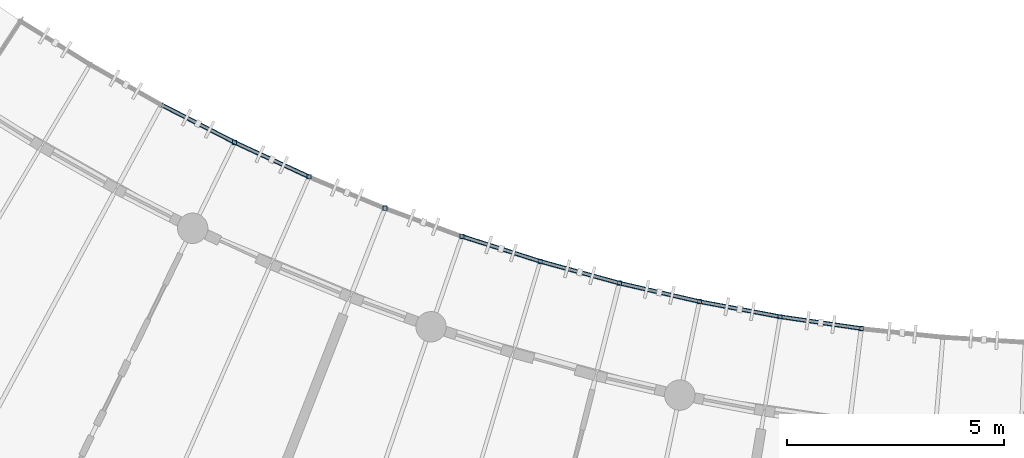
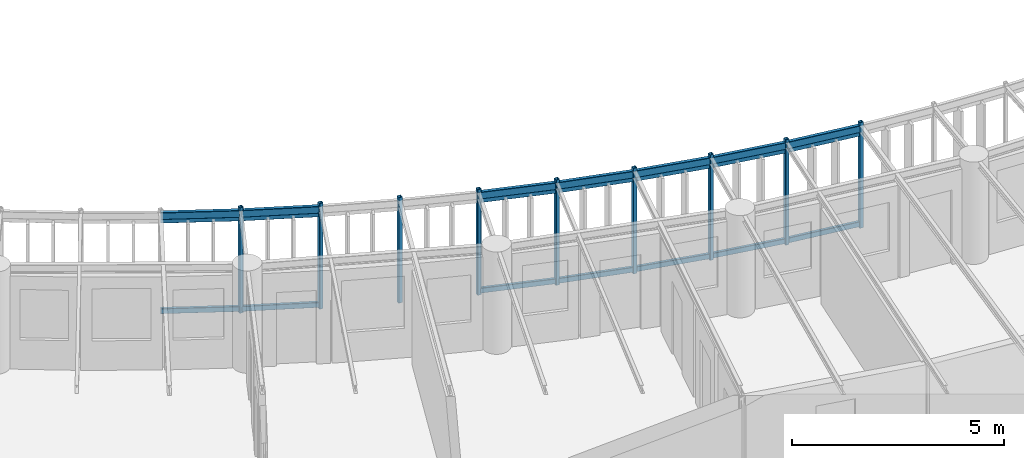
# One storey, part 8 of 123: 23 members, 7 beams.
"""IFC4 building model written with IfcOpenShell, lengths in metres."""

from ifc_helpers import new_model, si_unit, direction, frame, origin, origin_2d, place, context, subcontext, project, spatial, hollow_rectangle, extrude, material, material_profile, profile_set, type_object, element, save


model = new_model("IFC4")

# Units and contexts
model_context = context("Model", 3, precision=1e-05, world=origin(), true_north=direction((0.0, 1.0)))
body_context = subcontext(model_context, "Body", "Model", "MODEL_VIEW")
ifc_project = project(units=[si_unit("LENGTHUNIT", "METRE"), si_unit("AREAUNIT", "SQUARE_METRE"), si_unit("VOLUMEUNIT", "CUBIC_METRE"), si_unit("PLANEANGLEUNIT", "RADIAN"), si_unit("MASSUNIT", "GRAM", prefix="KILO"), si_unit("POWERUNIT", "WATT"), si_unit("THERMODYNAMICTEMPERATUREUNIT", "KELVIN")], contexts=[model_context])

# Site, building, storey
site_placement = place(None, origin())
site = spatial("IfcSite", under=ifc_project, at=site_placement, CompositionType="ELEMENT")
building_placement = place(site_placement, origin())
building = spatial("IfcBuilding", under=site, at=building_placement, Name="Ruvembo Vaulted Housing Court", CompositionType="ELEMENT")
storey_placement = place(building_placement, frame((0.0, 0.0, 7.699951171875)))
storey = spatial("IfcBuildingStorey", under=building, at=storey_placement, Name="L02", CompositionType="ELEMENT", Elevation=7.699951171875)

# Beams
ifc_material = material(Name="Steel S355J2", Category="steel")
ifc_material_profile_1 = material_profile(ifc_material, hollow_rectangle(XDim=0.10009765625, YDim=0.199951171875, WallThickness=0.008056640625, InnerFilletRadius=0.008056640625, OuterFilletRadius=0.01611328125, at=origin_2d()), Name="RHS 200x100x8")
ifc_profile_set_1 = profile_set([ifc_material_profile_1], Name="Steel S355J2")
beam_type = type_object("IfcBeamType", Name="BM-ST-RHS200", PredefinedType="SPANDREL", material=ifc_profile_set_1)
for number, where, z_axis, x_axis, name in (
    (1, (47.241943359375, 21.6982421875, 2.840087890625), (0.889568437347, -0.45680192127, 0.0), (0.45680192127, 0.889568437347, 0.0), "Scoop SC2 L02 Balcony Edge Spandrel 2"),
    (2, (48.922607421875, 20.835205078125, 2.840087890625), (0.907656578832, -0.419713634403, 0.0), (0.419713634403, 0.907656578832, 0.0), "Scoop SC2 L02 Balcony Edge Spandrel 3"),
):
    element("IfcBeam", number, at=place(storey_placement, frame(where, z_axis=z_axis, x_axis=x_axis)), inside=storey, type_object=beam_type, Name=name, PredefinedType="SPANDREL", context=body_context, shape_type="SweptSolid", body=[
        extrude(hollow_rectangle(XDim=0.10009765625, YDim=0.199951171875, WallThickness=0.008056640625, InnerFilletRadius=0.008056640625, OuterFilletRadius=0.01611328125, at=origin_2d()), origin(), (0.0, 0.0, 1.0), 1.889404296875),
    ])
beam_1_placement = place(storey_placement, frame((54.15771484375, 18.671630859375, 2.840087890625), z_axis=(0.952526124364, -0.304456864605, 0.0), x_axis=(0.304456864605, 0.952526124364, 0.0)))
element("IfcBeam", 3, at=beam_1_placement, inside=storey, type_object=beam_type, Name="Scoop SC2 L02 Balcony Edge Spandrel 6", PredefinedType="SPANDREL", context=body_context, shape_type="SweptSolid", body=[
    extrude(hollow_rectangle(XDim=0.10009765625, YDim=0.199951171875, WallThickness=0.008056640625, InnerFilletRadius=0.008056640625, OuterFilletRadius=0.01611328125, at=origin_2d()), origin(), (0.0, 0.0, 1.0), 1.88916015625),
])
beam_2_placement = place(storey_placement, frame((55.957275390625, 18.096435546875, 2.840087890625), z_axis=(0.964240073493, -0.26503033915, 0.0), x_axis=(0.26503033915, 0.964240073493, 0.0)))
element("IfcBeam", 4, at=beam_2_placement, inside=storey, type_object=beam_type, Name="Scoop SC2 L02 Balcony Edge Spandrel 7", PredefinedType="SPANDREL", context=body_context, shape_type="SweptSolid", body=[
    extrude(hollow_rectangle(XDim=0.10009765625, YDim=0.199951171875, WallThickness=0.008056640625, InnerFilletRadius=0.008056640625, OuterFilletRadius=0.01611328125, at=origin_2d()), origin(), (0.0, 0.0, 1.0), 1.889404296875),
])
beam_3_placement = place(storey_placement, frame((57.779052734375, 17.595703125, 2.840087890625), z_axis=(0.974391195695, -0.224859506699, 0.0), x_axis=(0.224859506699, 0.974391195695, 0.0)))
element("IfcBeam", 5, at=beam_3_placement, inside=storey, type_object=beam_type, Name="Scoop SC2 L02 Balcony Edge Spandrel 8", PredefinedType="SPANDREL", context=body_context, shape_type="SweptSolid", body=[
    extrude(hollow_rectangle(XDim=0.10009765625, YDim=0.199951171875, WallThickness=0.008056640625, InnerFilletRadius=0.008056640625, OuterFilletRadius=0.01611328125, at=origin_2d()), origin(), (0.0, 0.0, 1.0), 1.88916015625),
])
beam_4_placement = place(storey_placement, frame((59.619873046875, 17.1708984375, 2.840087890625), z_axis=(0.982804832401, -0.184647397515, 0.0), x_axis=(0.184647397515, 0.982804832401, 0.0)))
element("IfcBeam", 6, at=beam_4_placement, inside=storey, type_object=beam_type, Name="Scoop SC2 L02 Balcony Edge Spandrel 9", PredefinedType="SPANDREL", context=body_context, shape_type="SweptSolid", body=[
    extrude(hollow_rectangle(XDim=0.10009765625, YDim=0.199951171875, WallThickness=0.008056640625, InnerFilletRadius=0.008056640625, OuterFilletRadius=0.01611328125, at=origin_2d()), origin(), (0.0, 0.0, 1.0), 1.889404296875),
])
beam_5_placement = place(storey_placement, frame((61.476806640625, 16.822021484375, 2.840087890625), z_axis=(0.989600158039, -0.143845497701, 0.0), x_axis=(0.143845497701, 0.989600158039, 0.0)))
element("IfcBeam", 7, at=beam_5_placement, inside=storey, type_object=beam_type, Name="Scoop SC2 L02 Balcony Edge Spandrel 10", PredefinedType="SPANDREL", context=body_context, shape_type="SweptSolid", body=[
    extrude(hollow_rectangle(XDim=0.10009765625, YDim=0.199951171875, WallThickness=0.008056640625, InnerFilletRadius=0.008056640625, OuterFilletRadius=0.01611328125, at=origin_2d()), origin(), (0.0, 0.0, 1.0), 1.888916015625),
])

# Members
ifc_material_profile_2 = material_profile(ifc_material, hollow_rectangle(XDim=0.06005859375, YDim=0.1201171875, WallThickness=0.0048828125, InnerFilletRadius=0.0048828125, OuterFilletRadius=0.010009765625, at=origin_2d()), Name="RHS 120x60x5")
ifc_profile_set_2 = profile_set([ifc_material_profile_2], Name="Steel S355J2")
member_type_1 = type_object("IfcMemberType", Name="MEM-CAR-RHS120", PredefinedType="CHORD", material=ifc_profile_set_2)
for number, where, z_axis, x_axis, name in (
    (8, (47.241943359375, 21.6982421875, 2.68310546875), (0.889568437347, -0.45680192127, 0.0), (0.45680192127, 0.889568437347, 0.0), "Scoop SC2 L02 Upper Louvre Carrier Rail 2"),
    (9, (48.922607421875, 20.835205078125, 2.68310546875), (0.907656578832, -0.419713634403, 0.0), (0.419713634403, 0.907656578832, 0.0), "Scoop SC2 L02 Upper Louvre Carrier Rail 3"),
):
    element("IfcMember", number, at=place(storey_placement, frame(where, z_axis=z_axis, x_axis=x_axis)), inside=storey, type_object=member_type_1, Name=name, PredefinedType="CHORD", context=body_context, shape_type="SweptSolid", body=[
        extrude(hollow_rectangle(XDim=0.06005859375, YDim=0.1201171875, WallThickness=0.0048828125, InnerFilletRadius=0.0048828125, OuterFilletRadius=0.010009765625, at=origin_2d()), origin(), (0.0, 0.0, 1.0), 1.889404296875),
    ])
member_1_placement = place(storey_placement, frame((54.15771484375, 18.671630859375, 2.68310546875), z_axis=(0.952526124364, -0.304456864605, 0.0), x_axis=(0.304456864605, 0.952526124364, 0.0)))
element("IfcMember", 10, at=member_1_placement, inside=storey, type_object=member_type_1, Name="Scoop SC2 L02 Upper Louvre Carrier Rail 6", PredefinedType="CHORD", context=body_context, shape_type="SweptSolid", body=[
    extrude(hollow_rectangle(XDim=0.06005859375, YDim=0.1201171875, WallThickness=0.0048828125, InnerFilletRadius=0.0048828125, OuterFilletRadius=0.010009765625, at=origin_2d()), origin(), (0.0, 0.0, 1.0), 1.88916015625),
])
member_2_placement = place(storey_placement, frame((55.957275390625, 18.096435546875, 2.68310546875), z_axis=(0.964240073493, -0.26503033915, 0.0), x_axis=(0.26503033915, 0.964240073493, 0.0)))
element("IfcMember", 11, at=member_2_placement, inside=storey, type_object=member_type_1, Name="Scoop SC2 L02 Upper Louvre Carrier Rail 7", PredefinedType="CHORD", context=body_context, shape_type="SweptSolid", body=[
    extrude(hollow_rectangle(XDim=0.06005859375, YDim=0.1201171875, WallThickness=0.0048828125, InnerFilletRadius=0.0048828125, OuterFilletRadius=0.010009765625, at=origin_2d()), origin(), (0.0, 0.0, 1.0), 1.889404296875),
])
member_3_placement = place(storey_placement, frame((57.779052734375, 17.595703125, 2.68310546875), z_axis=(0.974391195695, -0.224859506699, 0.0), x_axis=(0.224859506699, 0.974391195695, 0.0)))
element("IfcMember", 12, at=member_3_placement, inside=storey, type_object=member_type_1, Name="Scoop SC2 L02 Upper Louvre Carrier Rail 8", PredefinedType="CHORD", context=body_context, shape_type="SweptSolid", body=[
    extrude(hollow_rectangle(XDim=0.06005859375, YDim=0.1201171875, WallThickness=0.0048828125, InnerFilletRadius=0.0048828125, OuterFilletRadius=0.010009765625, at=origin_2d()), origin(), (0.0, 0.0, 1.0), 1.88916015625),
])
member_4_placement = place(storey_placement, frame((59.619873046875, 17.1708984375, 2.68310546875), z_axis=(0.982804832401, -0.184647397515, 0.0), x_axis=(0.184647397515, 0.982804832401, 0.0)))
element("IfcMember", 13, at=member_4_placement, inside=storey, type_object=member_type_1, Name="Scoop SC2 L02 Upper Louvre Carrier Rail 9", PredefinedType="CHORD", context=body_context, shape_type="SweptSolid", body=[
    extrude(hollow_rectangle(XDim=0.06005859375, YDim=0.1201171875, WallThickness=0.0048828125, InnerFilletRadius=0.0048828125, OuterFilletRadius=0.010009765625, at=origin_2d()), origin(), (0.0, 0.0, 1.0), 1.889404296875),
])
member_5_placement = place(storey_placement, frame((61.476806640625, 16.822021484375, 2.68310546875), z_axis=(0.989600158039, -0.143845497701, 0.0), x_axis=(0.143845497701, 0.989600158039, 0.0)))
element("IfcMember", 14, at=member_5_placement, inside=storey, type_object=member_type_1, Name="Scoop SC2 L02 Upper Louvre Carrier Rail 10", PredefinedType="CHORD", context=body_context, shape_type="SweptSolid", body=[
    extrude(hollow_rectangle(XDim=0.06005859375, YDim=0.1201171875, WallThickness=0.0048828125, InnerFilletRadius=0.0048828125, OuterFilletRadius=0.010009765625, at=origin_2d()), origin(), (0.0, 0.0, 1.0), 1.888916015625),
])
ifc_material_profile_3 = material_profile(ifc_material, hollow_rectangle(XDim=0.080078125, YDim=0.14990234375, WallThickness=0.00634765625, InnerFilletRadius=0.00634765625, OuterFilletRadius=0.0126953125, at=origin_2d()), Name="RHS 150x80x6.3")
ifc_profile_set_3 = profile_set([ifc_material_profile_3], Name="Steel S355J2")
member_type_2 = type_object("IfcMemberType", Name="MEM-CAR-RHS150", PredefinedType="CHORD", material=ifc_profile_set_3)
for number, where, z_axis, x_axis, name in (
    (15, (47.241943359375, 21.6982421875, 0.094970703125), (0.889568437347, -0.45680192127, 0.0), (0.45680192127, 0.889568437347, 0.0), "Scoop SC2 L02 Lower Louvre Carrier Rail 2"),
    (16, (48.922607421875, 20.835205078125, 0.094970703125), (0.907656578832, -0.419713634403, 0.0), (0.419713634403, 0.907656578832, 0.0), "Scoop SC2 L02 Lower Louvre Carrier Rail 3"),
):
    element("IfcMember", number, at=place(storey_placement, frame(where, z_axis=z_axis, x_axis=x_axis)), inside=storey, type_object=member_type_2, Name=name, PredefinedType="CHORD", context=body_context, shape_type="SweptSolid", body=[
        extrude(hollow_rectangle(XDim=0.080078125, YDim=0.14990234375, WallThickness=0.00634765625, InnerFilletRadius=0.00634765625, OuterFilletRadius=0.0126953125, at=origin_2d()), origin(), (0.0, 0.0, 1.0), 1.889404296875),
    ])
member_6_placement = place(storey_placement, frame((54.15771484375, 18.671630859375, 0.094970703125), z_axis=(0.952526124364, -0.304456864605, 0.0), x_axis=(0.304456864605, 0.952526124364, 0.0)))
element("IfcMember", 17, at=member_6_placement, inside=storey, type_object=member_type_2, Name="Scoop SC2 L02 Lower Louvre Carrier Rail 6", PredefinedType="CHORD", context=body_context, shape_type="SweptSolid", body=[
    extrude(hollow_rectangle(XDim=0.080078125, YDim=0.14990234375, WallThickness=0.00634765625, InnerFilletRadius=0.00634765625, OuterFilletRadius=0.0126953125, at=origin_2d()), origin(), (0.0, 0.0, 1.0), 1.88916015625),
])
member_7_placement = place(storey_placement, frame((55.957275390625, 18.096435546875, 0.094970703125), z_axis=(0.964240073493, -0.26503033915, 0.0), x_axis=(0.26503033915, 0.964240073493, 0.0)))
element("IfcMember", 18, at=member_7_placement, inside=storey, type_object=member_type_2, Name="Scoop SC2 L02 Lower Louvre Carrier Rail 7", PredefinedType="CHORD", context=body_context, shape_type="SweptSolid", body=[
    extrude(hollow_rectangle(XDim=0.080078125, YDim=0.14990234375, WallThickness=0.00634765625, InnerFilletRadius=0.00634765625, OuterFilletRadius=0.0126953125, at=origin_2d()), origin(), (0.0, 0.0, 1.0), 1.889404296875),
])
member_8_placement = place(storey_placement, frame((57.779052734375, 17.595703125, 0.094970703125), z_axis=(0.974391195695, -0.224859506699, 0.0), x_axis=(0.224859506699, 0.974391195695, 0.0)))
element("IfcMember", 19, at=member_8_placement, inside=storey, type_object=member_type_2, Name="Scoop SC2 L02 Lower Louvre Carrier Rail 8", PredefinedType="CHORD", context=body_context, shape_type="SweptSolid", body=[
    extrude(hollow_rectangle(XDim=0.080078125, YDim=0.14990234375, WallThickness=0.00634765625, InnerFilletRadius=0.00634765625, OuterFilletRadius=0.0126953125, at=origin_2d()), origin(), (0.0, 0.0, 1.0), 1.88916015625),
])
member_9_placement = place(storey_placement, frame((59.619873046875, 17.1708984375, 0.094970703125), z_axis=(0.982804832401, -0.184647397515, 0.0), x_axis=(0.184647397515, 0.982804832401, 0.0)))
element("IfcMember", 20, at=member_9_placement, inside=storey, type_object=member_type_2, Name="Scoop SC2 L02 Lower Louvre Carrier Rail 9", PredefinedType="CHORD", context=body_context, shape_type="SweptSolid", body=[
    extrude(hollow_rectangle(XDim=0.080078125, YDim=0.14990234375, WallThickness=0.00634765625, InnerFilletRadius=0.00634765625, OuterFilletRadius=0.0126953125, at=origin_2d()), origin(), (0.0, 0.0, 1.0), 1.889404296875),
])
member_10_placement = place(storey_placement, frame((61.476806640625, 16.822021484375, 0.094970703125), z_axis=(0.989600158039, -0.143845497701, 0.0), x_axis=(0.143845497701, 0.989600158039, 0.0)))
element("IfcMember", 21, at=member_10_placement, inside=storey, type_object=member_type_2, Name="Scoop SC2 L02 Lower Louvre Carrier Rail 10", PredefinedType="CHORD", context=body_context, shape_type="SweptSolid", body=[
    extrude(hollow_rectangle(XDim=0.080078125, YDim=0.14990234375, WallThickness=0.00634765625, InnerFilletRadius=0.00634765625, OuterFilletRadius=0.0126953125, at=origin_2d()), origin(), (0.0, 0.0, 1.0), 1.888916015625),
])
ifc_material_profile_4 = material_profile(ifc_material, hollow_rectangle(XDim=0.10009765625, YDim=0.10009765625, WallThickness=0.00634765625, InnerFilletRadius=0.00634765625, OuterFilletRadius=0.0126953125, at=origin_2d()), Name="SHS 100x100x6.3")
ifc_profile_set_4 = profile_set([ifc_material_profile_4], Name="Steel S355J2")
member_type_3 = type_object("IfcMemberType", Name="MEM-FRM-SHS100", PredefinedType="STRUT", material=ifc_profile_set_4)
for number, where, z_axis, x_axis, name in (
    (22, (48.922607421875, 20.835205078125, -0.014892578125), (0.0, 0.0, 1.0), (1.0, 0.0, 0.0), "Scoop SC2 L02 Louvre Frame Post 3"),
    (23, (50.637451171875, 20.042236328125, -0.014892578125), (0.0, 0.0, 1.0), (1.0, 0.0, 0.0), "Scoop SC2 L02 Louvre Frame Post 4"),
    (24, (52.38330078125, 19.320556640625, -0.014892578125), (0.0, 0.0, 1.0), (1.0, 0.0, 0.0), "Scoop SC2 L02 Louvre Frame Post 5"),
    (25, (54.15771484375, 18.671630859375, -0.014892578125), (0.0, 0.0, 1.0), (1.0, 0.0, 0.0), "Scoop SC2 L02 Louvre Frame Post 6"),
    (26, (55.957275390625, 18.096435546875, -0.014892578125), (0.0, 0.0, 1.0), (1.0, 0.0, 0.0), "Scoop SC2 L02 Louvre Frame Post 7"),
    (27, (57.779052734375, 17.595703125, -0.014892578125), (0.0, 0.0, 1.0), (1.0, 0.0, 0.0), "Scoop SC2 L02 Louvre Frame Post 8"),
    (28, (59.619873046875, 17.1708984375, -0.014892578125), (0.0, 0.0, 1.0), (1.0, 0.0, 0.0), "Scoop SC2 L02 Louvre Frame Post 9"),
    (29, (61.476806640625, 16.822021484375, -0.014892578125), (0.0, 0.0, 1.0), (1.0, 0.0, 0.0), "Scoop SC2 L02 Louvre Frame Post 10"),
    (30, (63.34619140625, 16.55029296875, -0.014892578125), (0.0, 0.0, 1.0), (1.0, 0.0, 0.0), "Scoop SC2 L02 Louvre Frame Post 11"),
):
    element("IfcMember", number, at=place(storey_placement, frame(where, z_axis=z_axis, x_axis=x_axis)), inside=storey, type_object=member_type_3, Name=name, PredefinedType="STRUT", context=body_context, shape_type="SweptSolid", body=[
        extrude(hollow_rectangle(XDim=0.10009765625, YDim=0.10009765625, WallThickness=0.00634765625, InnerFilletRadius=0.00634765625, OuterFilletRadius=0.0126953125, at=origin_2d()), origin(), (0.0, 0.0, 1.0), 3.041015625),
    ])

save(model, "model.ifc")
